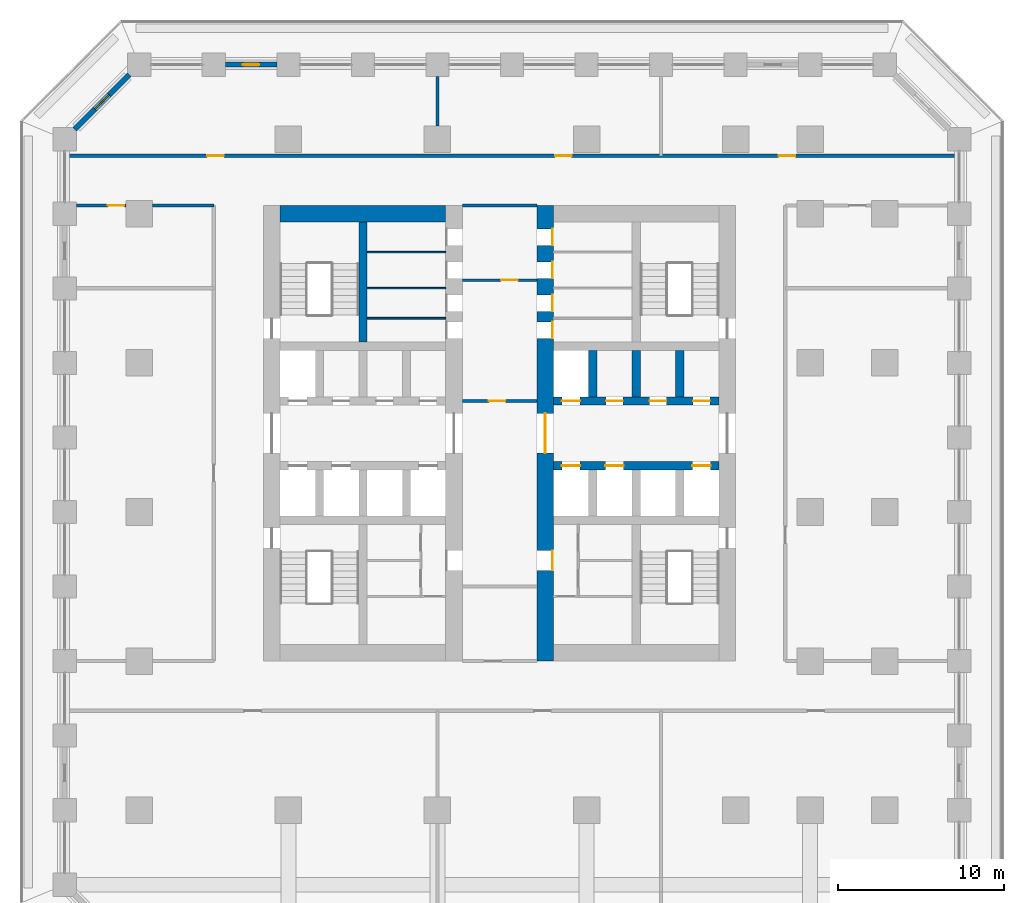
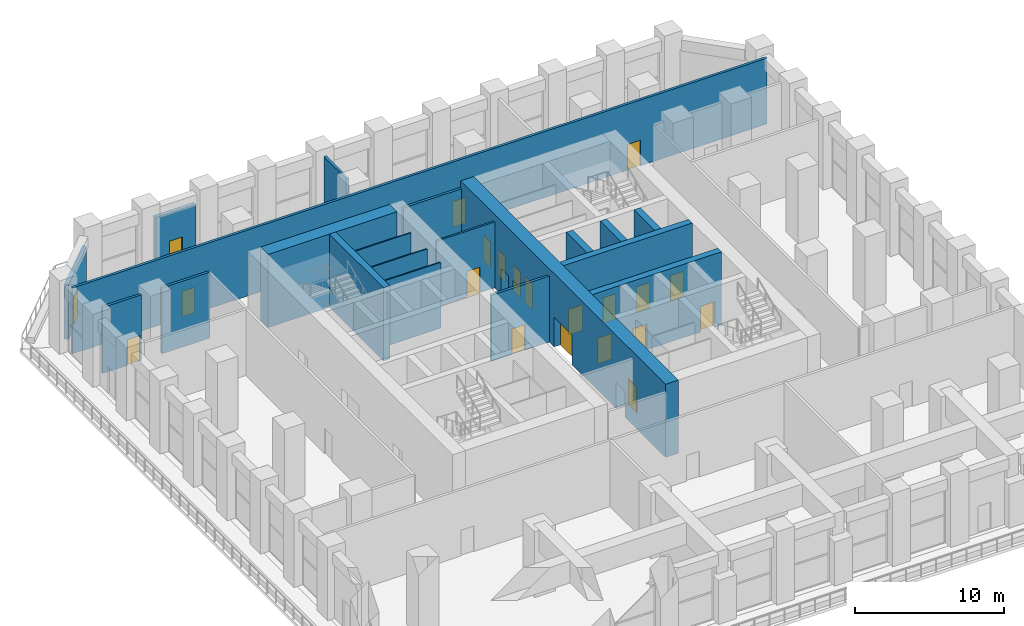
# One storey, part 13 of 19: 21 doors, 20 walls, 21 openings.
"""IFC4 building model written with IfcOpenShell, lengths in metres."""

from ifc_helpers import new_model, si_unit, direction, frame, frame_2d, origin, place, context, subcontext, project, spatial, rectangle, extrude, material, layer, layer_set, type_object, element, fill, save


model = new_model("IFC4")

# Units and contexts
model_context = context("Model", 3, precision=1e-05, world=origin(), true_north=direction((0.0, 1.0)))
body_context = subcontext(model_context, "Body", "Model", "MODEL_VIEW")
ifc_project = project(units=[si_unit("LENGTHUNIT", "METRE"), si_unit("AREAUNIT", "SQUARE_METRE"), si_unit("VOLUMEUNIT", "CUBIC_METRE"), si_unit("PLANEANGLEUNIT", "RADIAN"), si_unit("MASSUNIT", "GRAM", prefix="KILO")], contexts=[model_context])

# Site, building, storey
site_placement = place(None, origin())
site = spatial("IfcSite", under=ifc_project, at=site_placement, CompositionType="ELEMENT")
building_placement = place(site_placement, origin())
building = spatial("IfcBuilding", under=site, at=building_placement, Name="Corbel Stack Research Tower", CompositionType="ELEMENT")
storey_placement = place(building_placement, frame((0.0, 0.0, 70.60009765625)))
storey = spatial("IfcBuildingStorey", under=building, at=storey_placement, Name="L16", CompositionType="ELEMENT", Elevation=70.60009765625)

# Wall
ifc_material_1 = material(Name="Concrete C70/85", Category="concrete")
ifc_layer_1 = layer(ifc_material_1, 1.0)
ifc_layer_set_1 = layer_set([ifc_layer_1], Name="Concrete C70/85")
wall_type_1 = type_object("IfcWallType", Name="CW-1000-70", PredefinedType="SHEAR", material=ifc_layer_set_1)
wall_1_placement = place(storey_placement, frame((-9.5, 18.0, 0.0), z_axis=(0.0, 0.0, 1.0), x_axis=(1.0, 0.0, 0.0)))
element("IfcWall", 1, at=wall_1_placement, inside=storey, type_object=wall_type_1, Name="West core wall, north end L16", PredefinedType="SHEAR", context=body_context, shape_type="SweptSolid", body=[
    extrude(rectangle(XDim=10.0, YDim=1.0, at=frame_2d((5.0, 0.0))), origin(), (0.0, 0.0, 1.0), 6.0),
])

# Wall, openings, doors
wall_2_placement = place(storey_placement, frame((6.5, -9.0, 0.0), z_axis=(0.0, 0.0, 1.0), x_axis=(0.0, 1.0, 0.0)))
wall_2 = element("IfcWall", 2, at=wall_2_placement, inside=storey, type_object=wall_type_1, Name="East core wall, west face L16", PredefinedType="SHEAR", context=body_context, shape_type="SweptSolid", body=[
    extrude(rectangle(XDim=27.5, YDim=1.0, at=frame_2d((13.75, 0.0))), origin(), (0.0, 0.0, 1.0), 6.0),
])
opening_1_placement = place(wall_2_placement, frame((12.550048828125, 0.0, 0.0)))
opening_1 = element("IfcOpeningElement", 3, at=opening_1_placement, cuts=wall_2, Name="Opening CD-E-W", PredefinedType="OPENING", context=body_context, shape_type="SweptSolid", body=[
    extrude(rectangle(XDim=2.39990234375, YDim=2.39990234375, at=frame_2d((1.199951171875, 1.199951171875))), frame((0.0, 0.510009765625, 0.0), z_axis=(0.0, -1.0, 0.0), x_axis=(1.0, 0.0, 0.0)), (0.0, 0.0, 1.0), 1.02001953125),
])
opening_2_placement = place(wall_2_placement, frame((5.47509765625, 0.0, 0.0)))
opening_2 = element("IfcOpeningElement", 4, at=opening_2_placement, cuts=wall_2, Name="Opening CR-E66-W1-1200", PredefinedType="OPENING", context=body_context, shape_type="SweptSolid", body=[
    extrude(rectangle(XDim=1.199951171875, YDim=2.10009765625, at=frame_2d((0.60009765625, 1.050048828125))), frame((0.0, 0.510009765625, 0.0), z_axis=(0.0, -1.0, 0.0), x_axis=(1.0, 0.0, 0.0)), (0.0, 0.0, 1.0), 1.02001953125),
])
opening_3_placement = place(wall_2_placement, frame((19.47509765625, 0.0, 0.0)))
opening_3 = element("IfcOpeningElement", 5, at=opening_3_placement, cuts=wall_2, Name="Opening CR-E66-R1-1000", PredefinedType="OPENING", context=body_context, shape_type="SweptSolid", body=[
    extrude(rectangle(XDim=1.0, YDim=2.10009765625, at=frame_2d((0.5, 1.050048828125))), frame((0.0, 0.510009765625, 0.0), z_axis=(0.0, -1.0, 0.0), x_axis=(1.0, 0.0, 0.0)), (0.0, 0.0, 1.0), 1.02001953125),
])
opening_4_placement = place(wall_2_placement, frame((21.106201171875, 0.0, 0.0)))
opening_4 = element("IfcOpeningElement", 6, at=opening_4_placement, cuts=wall_2, Name="Opening CR-E66-R2-1000", PredefinedType="OPENING", context=body_context, shape_type="SweptSolid", body=[
    extrude(rectangle(XDim=1.0, YDim=2.10009765625, at=frame_2d((0.5, 1.050048828125))), frame((0.0, 0.510009765625, 0.0), z_axis=(0.0, -1.0, 0.0), x_axis=(1.0, 0.0, 0.0)), (0.0, 0.0, 1.0), 1.02001953125),
])
opening_5_placement = place(wall_2_placement, frame((23.10009765625, 0.0, 0.0)))
opening_5 = element("IfcOpeningElement", 7, at=opening_5_placement, cuts=wall_2, Name="Opening CR-E66-R3-1000", PredefinedType="OPENING", context=body_context, shape_type="SweptSolid", body=[
    extrude(rectangle(XDim=1.0, YDim=2.10009765625, at=frame_2d((0.5, 1.050048828125))), frame((0.0, 0.510009765625, 0.0), z_axis=(0.0, -1.0, 0.0), x_axis=(1.0, 0.0, 0.0)), (0.0, 0.0, 1.0), 1.02001953125),
])
opening_6_placement = place(wall_2_placement, frame((25.09375, 0.0, 0.0)))
opening_6 = element("IfcOpeningElement", 8, at=opening_6_placement, cuts=wall_2, Name="Opening CR-E66-R4-1000", PredefinedType="OPENING", context=body_context, shape_type="SweptSolid", body=[
    extrude(rectangle(XDim=1.0, YDim=2.10009765625, at=frame_2d((0.5, 1.050048828125))), frame((0.0, 0.510009765625, 0.0), z_axis=(0.0, -1.0, 0.0), x_axis=(1.0, 0.0, 0.0)), (0.0, 0.0, 1.0), 1.02001953125),
])
ifc_material_2 = material(Name="Painted steel fire door", Category="steel")
door_type_1 = type_object("IfcDoorType", Name="Lobby door pair 2400 x 2400 FD30S", OperationType="DOUBLE_DOOR_DOUBLE_SWING", PredefinedType="DOOR", material=ifc_material_2)
door_1_placement = place(opening_1_placement, origin())
door_1 = element("IfcDoor", 9, at=door_1_placement, inside=storey, type_object=door_type_1, Name="Lift lobby door E core W", OperationType="DOUBLE_DOOR_DOUBLE_SWING", OverallHeight=2.39990234375, OverallWidth=2.39990234375, PredefinedType="DOOR", context=body_context, shape_type="SweptSolid", body=[
    extrude(rectangle(XDim=2.39990234375, YDim=2.39990234375, at=frame_2d((1.199951171875, 1.199951171875))), frame((0.0, 0.02490234375, 0.0), z_axis=(0.0, -1.0, 0.0), x_axis=(1.0, 0.0, 0.0)), (0.0, 0.0, 1.0), 0.050048828125),
])
fill(opening_1, door_1)
ifc_material_3 = material(Name="Painted steel door", Category="steel")
door_type_2 = type_object("IfcDoorType", Name="Riser door 1000 x 2100 FD60 left hand", OperationType="SINGLE_SWING_LEFT", PredefinedType="DOOR", material=ifc_material_3)
door_2_placement = place(opening_4_placement, origin())
door_2 = element("IfcDoor", 10, at=door_2_placement, inside=storey, type_object=door_type_2, Name="Telecom room door E core", OperationType="SINGLE_SWING_LEFT", OverallHeight=2.10009765625, OverallWidth=1.0, PredefinedType="DOOR", context=body_context, shape_type="SweptSolid", body=[
    extrude(rectangle(XDim=1.0, YDim=2.10009765625, at=frame_2d((0.5, 1.050048828125))), frame((0.0, -0.4248046875, 0.0), z_axis=(0.0, -1.0, 0.0), x_axis=(1.0, 0.0, 0.0)), (0.0, 0.0, 1.0), 0.050048828125),
])
fill(opening_4, door_2)
ifc_material_4 = material(Name="Painted steel door", Category="steel")
door_type_3 = type_object("IfcDoorType", Name="Riser door 1000 x 2100 FD60 right hand", OperationType="SINGLE_SWING_RIGHT", PredefinedType="DOOR", material=ifc_material_4)
door_3_placement = place(opening_3_placement, origin())
door_3 = element("IfcDoor", 11, at=door_3_placement, inside=storey, type_object=door_type_3, Name="Electrical riser door E core", OperationType="SINGLE_SWING_RIGHT", OverallHeight=2.10009765625, OverallWidth=1.0, PredefinedType="DOOR", context=body_context, shape_type="SweptSolid", body=[
    extrude(rectangle(XDim=1.0, YDim=2.10009765625, at=frame_2d((0.5, 1.050048828125))), frame((0.0, -0.4248046875, 0.0), z_axis=(0.0, -1.0, 0.0), x_axis=(1.0, 0.0, 0.0)), (0.0, 0.0, 1.0), 0.050048828125),
])
fill(opening_3, door_3)
ifc_material_5 = material(Name="Painted steel door", Category="steel")
door_type_4 = type_object("IfcDoorType", Name="Service door 1000 x 2100 FD30 left hand", OperationType="SINGLE_SWING_LEFT", PredefinedType="DOOR", material=ifc_material_5)
door_4_placement = place(opening_6_placement, origin())
door_4 = element("IfcDoor", 12, at=door_4_placement, inside=storey, type_object=door_type_4, Name="Cleaner's store door E core", OperationType="SINGLE_SWING_LEFT", OverallHeight=2.10009765625, OverallWidth=1.0, PredefinedType="DOOR", context=body_context, shape_type="SweptSolid", body=[
    extrude(rectangle(XDim=1.0, YDim=2.10009765625, at=frame_2d((0.5, 1.050048828125))), frame((0.0, -0.4248046875, 0.0), z_axis=(0.0, -1.0, 0.0), x_axis=(1.0, 0.0, 0.0)), (0.0, 0.0, 1.0), 0.050048828125),
])
fill(opening_6, door_4)
ifc_material_6 = material(Name="Painted steel door", Category="steel")
door_type_5 = type_object("IfcDoorType", Name="Service door 1000 x 2100 FD30 right hand", OperationType="SINGLE_SWING_RIGHT", PredefinedType="DOOR", material=ifc_material_6)
door_5_placement = place(opening_5_placement, origin())
door_5 = element("IfcDoor", 13, at=door_5_placement, inside=storey, type_object=door_type_5, Name="Pantry door E core", OperationType="SINGLE_SWING_RIGHT", OverallHeight=2.10009765625, OverallWidth=1.0, PredefinedType="DOOR", context=body_context, shape_type="SweptSolid", body=[
    extrude(rectangle(XDim=1.0, YDim=2.10009765625, at=frame_2d((0.5, 1.050048828125))), frame((0.0, -0.4248046875, 0.0), z_axis=(0.0, -1.0, 0.0), x_axis=(1.0, 0.0, 0.0)), (0.0, 0.0, 1.0), 0.050048828125),
])
fill(opening_5, door_5)
ifc_material_7 = material(Name="Painted timber door", Category="wood")
door_type_6 = type_object("IfcDoorType", Name="WC door 1200 x 2100 right hand", OperationType="SINGLE_SWING_RIGHT", PredefinedType="DOOR", material=ifc_material_7)
door_6_placement = place(opening_2_placement, origin())
door_6 = element("IfcDoor", 14, at=door_6_placement, inside=storey, type_object=door_type_6, Name="WC lobby door E core", OperationType="SINGLE_SWING_RIGHT", OverallHeight=2.10009765625, OverallWidth=1.199951171875, PredefinedType="DOOR", context=body_context, shape_type="SweptSolid", body=[
    extrude(rectangle(XDim=1.199951171875, YDim=2.10009765625, at=frame_2d((0.60009765625, 1.050048828125))), frame((0.0, -0.4248046875, 0.0), z_axis=(0.0, -1.0, 0.0), x_axis=(1.0, 0.0, 0.0)), (0.0, 0.0, 1.0), 0.050048828125),
])
fill(opening_2, door_6)

# Wall
ifc_material_8 = material(Name="Concrete C70/85", Category="concrete")
ifc_layer_2 = layer(ifc_material_8, 0.5)
ifc_layer_set_2 = layer_set([ifc_layer_2], Name="Concrete C70/85")
wall_type_2 = type_object("IfcWallType", Name="CW-500-70", PredefinedType="SHEAR", material=ifc_layer_set_2)
wall_3_placement = place(storey_placement, frame((-4.5, 10.25, 0.0), z_axis=(0.0, 0.0, 1.0), x_axis=(0.0, 1.0, 0.0)))
element("IfcWall", 15, at=wall_3_placement, inside=storey, type_object=wall_type_2, Name="West core wall, north stair and riser L16", PredefinedType="SHEAR", context=body_context, shape_type="SweptSolid", body=[
    extrude(rectangle(XDim=7.25, YDim=0.5, at=frame_2d((3.625, 0.0))), origin(), (0.0, 0.0, 1.0), 6.0),
])

# Wall, openings, doors
wall_4_placement = place(storey_placement, frame((7.0, 2.800048828125, 0.0), z_axis=(0.0, 0.0, 1.0), x_axis=(1.0, 0.0, 0.0)))
wall_4 = element("IfcWall", 16, at=wall_4_placement, inside=storey, type_object=wall_type_2, Name="East core wall, lobby south L16", PredefinedType="SHEAR", context=body_context, shape_type="SweptSolid", body=[
    extrude(rectangle(XDim=10.0, YDim=0.5, at=frame_2d((5.0, 0.0))), origin(), (0.0, 0.0, 1.0), 6.0),
])
opening_7_placement = place(wall_4_placement, frame((0.512451171875, 0.0, 0.0)))
opening_7 = element("IfcOpeningElement", 17, at=opening_7_placement, cuts=wall_4, Name="Opening LD-FS2", PredefinedType="OPENING", context=body_context, shape_type="SweptSolid", body=[
    extrude(rectangle(XDim=1.10009765625, YDim=2.10009765625, at=frame_2d((0.550048828125, 1.050048828125))), frame((0.0, 0.260009765625, 0.0), z_axis=(0.0, -1.0, 0.0), x_axis=(1.0, 0.0, 0.0)), (0.0, 0.0, 1.0), 0.52001953125),
])
opening_8_placement = place(wall_4_placement, frame((3.137451171875, 0.0, 0.0)))
opening_8 = element("IfcOpeningElement", 18, at=opening_8_placement, cuts=wall_4, Name="Opening LD-GL2", PredefinedType="OPENING", context=body_context, shape_type="SweptSolid", body=[
    extrude(rectangle(XDim=1.10009765625, YDim=2.10009765625, at=frame_2d((0.550048828125, 1.050048828125))), frame((0.0, 0.260009765625, 0.0), z_axis=(0.0, -1.0, 0.0), x_axis=(1.0, 0.0, 0.0)), (0.0, 0.0, 1.0), 0.52001953125),
])
opening_9_placement = place(wall_4_placement, frame((8.387451171875, 0.0, 0.0)))
opening_9 = element("IfcOpeningElement", 19, at=opening_9_placement, cuts=wall_4, Name="Opening LD-LR3", PredefinedType="OPENING", context=body_context, shape_type="SweptSolid", body=[
    extrude(rectangle(XDim=1.10009765625, YDim=2.10009765625, at=frame_2d((0.550048828125, 1.050048828125))), frame((0.0, 0.260009765625, 0.0), z_axis=(0.0, -1.0, 0.0), x_axis=(1.0, 0.0, 0.0)), (0.0, 0.0, 1.0), 0.52001953125),
])
ifc_material_9 = material(Name="Stainless steel landing door", Category="steel")
door_type_7 = type_object("IfcDoorType", Name="Lift landing door 1100 x 2100", OperationType="DOUBLE_DOOR_SLIDING", PredefinedType="DOOR", material=ifc_material_9)
door_7_placement = place(opening_7_placement, origin())
door_7 = element("IfcDoor", 20, at=door_7_placement, inside=storey, type_object=door_type_7, Name="Landing door FS2", OperationType="DOUBLE_DOOR_SLIDING", OverallHeight=2.10009765625, OverallWidth=1.10009765625, PredefinedType="DOOR", context=body_context, shape_type="SweptSolid", body=[
    extrude(rectangle(XDim=1.10009765625, YDim=2.10009765625, at=frame_2d((0.550048828125, 1.050048828125))), frame((0.0, 0.02490234375, 0.0), z_axis=(0.0, -1.0, 0.0), x_axis=(1.0, 0.0, 0.0)), (0.0, 0.0, 1.0), 0.050048828125),
])
fill(opening_7, door_7)
door_8_placement = place(opening_8_placement, origin())
door_8 = element("IfcDoor", 21, at=door_8_placement, inside=storey, type_object=door_type_7, Name="Landing door GL2", OperationType="DOUBLE_DOOR_SLIDING", OverallHeight=2.10009765625, OverallWidth=1.10009765625, PredefinedType="DOOR", context=body_context, shape_type="SweptSolid", body=[
    extrude(rectangle(XDim=1.10009765625, YDim=2.10009765625, at=frame_2d((0.550048828125, 1.050048828125))), frame((0.0, 0.02490234375, 0.0), z_axis=(0.0, -1.0, 0.0), x_axis=(1.0, 0.0, 0.0)), (0.0, 0.0, 1.0), 0.050048828125),
])
fill(opening_8, door_8)
door_9_placement = place(opening_9_placement, origin())
door_9 = element("IfcDoor", 22, at=door_9_placement, inside=storey, type_object=door_type_7, Name="Landing door LR3", OperationType="DOUBLE_DOOR_SLIDING", OverallHeight=2.10009765625, OverallWidth=1.10009765625, PredefinedType="DOOR", context=body_context, shape_type="SweptSolid", body=[
    extrude(rectangle(XDim=1.10009765625, YDim=2.10009765625, at=frame_2d((0.550048828125, 1.050048828125))), frame((0.0, 0.02490234375, 0.0), z_axis=(0.0, -1.0, 0.0), x_axis=(1.0, 0.0, 0.0)), (0.0, 0.0, 1.0), 0.050048828125),
])
fill(opening_9, door_9)

wall_5_placement = place(storey_placement, frame((7.0, 6.699951171875, 0.0), z_axis=(0.0, 0.0, 1.0), x_axis=(1.0, 0.0, 0.0)))
wall_5 = element("IfcWall", 23, at=wall_5_placement, inside=storey, type_object=wall_type_2, Name="East core wall, lobby north L16", PredefinedType="SHEAR", context=body_context, shape_type="SweptSolid", body=[
    extrude(rectangle(XDim=10.0, YDim=0.5, at=frame_2d((5.0, 0.0))), origin(), (0.0, 0.0, 1.0), 6.0),
])
opening_10_placement = place(wall_5_placement, frame((0.512451171875, 0.0, 0.0)))
opening_10 = element("IfcOpeningElement", 24, at=opening_10_placement, cuts=wall_5, Name="Opening LD-LR4", PredefinedType="OPENING", context=body_context, shape_type="SweptSolid", body=[
    extrude(rectangle(XDim=1.10009765625, YDim=2.10009765625, at=frame_2d((0.550048828125, 1.050048828125))), frame((0.0, 0.260009765625, 0.0), z_axis=(0.0, -1.0, 0.0), x_axis=(1.0, 0.0, 0.0)), (0.0, 0.0, 1.0), 0.52001953125),
])
opening_11_placement = place(wall_5_placement, frame((3.1875, 0.0, 0.0)))
opening_11 = element("IfcOpeningElement", 25, at=opening_11_placement, cuts=wall_5, Name="Opening CR-E66-N2", PredefinedType="OPENING", context=body_context, shape_type="SweptSolid", body=[
    extrude(rectangle(XDim=1.0, YDim=2.10009765625, at=frame_2d((0.5, 1.050048828125))), frame((0.0, 0.260009765625, 0.0), z_axis=(0.0, -1.0, 0.0), x_axis=(1.0, 0.0, 0.0)), (0.0, 0.0, 1.0), 0.52001953125),
])
opening_12_placement = place(wall_5_placement, frame((5.8125, 0.0, 0.0)))
opening_12 = element("IfcOpeningElement", 26, at=opening_12_placement, cuts=wall_5, Name="Opening CR-E66-N3", PredefinedType="OPENING", context=body_context, shape_type="SweptSolid", body=[
    extrude(rectangle(XDim=1.0, YDim=2.10009765625, at=frame_2d((0.5, 1.050048828125))), frame((0.0, 0.260009765625, 0.0), z_axis=(0.0, -1.0, 0.0), x_axis=(1.0, 0.0, 0.0)), (0.0, 0.0, 1.0), 0.52001953125),
])
opening_13_placement = place(wall_5_placement, frame((8.4375, 0.0, 0.0)))
opening_13 = element("IfcOpeningElement", 27, at=opening_13_placement, cuts=wall_5, Name="Opening CR-E66-N4", PredefinedType="OPENING", context=body_context, shape_type="SweptSolid", body=[
    extrude(rectangle(XDim=1.0, YDim=2.10009765625, at=frame_2d((0.5, 1.050048828125))), frame((0.0, 0.260009765625, 0.0), z_axis=(0.0, -1.0, 0.0), x_axis=(1.0, 0.0, 0.0)), (0.0, 0.0, 1.0), 0.52001953125),
])
door_10_placement = place(opening_10_placement, origin())
door_10 = element("IfcDoor", 28, at=door_10_placement, inside=storey, type_object=door_type_7, Name="Landing door LR4", OperationType="DOUBLE_DOOR_SLIDING", OverallHeight=2.10009765625, OverallWidth=1.10009765625, PredefinedType="DOOR", context=body_context, shape_type="SweptSolid", body=[
    extrude(rectangle(XDim=1.10009765625, YDim=2.10009765625, at=frame_2d((0.550048828125, 1.050048828125))), frame((0.0, 0.02490234375, 0.0), z_axis=(0.0, -1.0, 0.0), x_axis=(1.0, 0.0, 0.0)), (0.0, 0.0, 1.0), 0.050048828125),
])
fill(opening_10, door_10)
ifc_material_10 = material(Name="Painted steel door", Category="steel")
door_type_8 = type_object("IfcDoorType", Name="Service door 1000 x 2100 FD60 left hand", OperationType="SINGLE_SWING_LEFT", PredefinedType="DOOR", material=ifc_material_10)
door_11_placement = place(opening_12_placement, origin())
door_11 = element("IfcDoor", 29, at=door_11_placement, inside=storey, type_object=door_type_8, Name="Records store door E core", OperationType="SINGLE_SWING_LEFT", OverallHeight=2.10009765625, OverallWidth=1.0, PredefinedType="DOOR", context=body_context, shape_type="SweptSolid", body=[
    extrude(rectangle(XDim=1.0, YDim=2.10009765625, at=frame_2d((0.5, 1.050048828125))), frame((0.0, 0.02490234375, 0.0), z_axis=(0.0, -1.0, 0.0), x_axis=(1.0, 0.0, 0.0)), (0.0, 0.0, 1.0), 0.050048828125),
])
fill(opening_12, door_11)
ifc_material_11 = material(Name="Painted steel door", Category="steel")
door_type_9 = type_object("IfcDoorType", Name="Service door 1000 x 2100 FD60 right hand", OperationType="SINGLE_SWING_RIGHT", PredefinedType="DOOR", material=ifc_material_11)
door_12_placement = place(opening_11_placement, origin())
door_12 = element("IfcDoor", 30, at=door_12_placement, inside=storey, type_object=door_type_9, Name="Copy and supply store door E core", OperationType="SINGLE_SWING_RIGHT", OverallHeight=2.10009765625, OverallWidth=1.0, PredefinedType="DOOR", context=body_context, shape_type="SweptSolid", body=[
    extrude(rectangle(XDim=1.0, YDim=2.10009765625, at=frame_2d((0.5, 1.050048828125))), frame((0.0, 0.02490234375, 0.0), z_axis=(0.0, -1.0, 0.0), x_axis=(1.0, 0.0, 0.0)), (0.0, 0.0, 1.0), 0.050048828125),
])
fill(opening_11, door_12)
door_13_placement = place(opening_13_placement, origin())
door_13 = element("IfcDoor", 31, at=door_13_placement, inside=storey, type_object=door_type_9, Name="Electrical room door E core", OperationType="SINGLE_SWING_RIGHT", OverallHeight=2.10009765625, OverallWidth=1.0, PredefinedType="DOOR", context=body_context, shape_type="SweptSolid", body=[
    extrude(rectangle(XDim=1.0, YDim=2.10009765625, at=frame_2d((0.5, 1.050048828125))), frame((0.0, 0.02490234375, 0.0), z_axis=(0.0, -1.0, 0.0), x_axis=(1.0, 0.0, 0.0)), (0.0, 0.0, 1.0), 0.050048828125),
])
fill(opening_13, door_13)

# Walls
for number, where, z_axis, x_axis, name in (
    (32, (9.375, 6.949951171875, 0.0), (0.0, 0.0, 1.0), (0.0, 1.0, 0.0), "East core wall, north shaft 1 L16"),
    (33, (12.0, 6.949951171875, 0.0), (0.0, 0.0, 1.0), (0.0, 1.0, 0.0), "East core wall, north shaft 2 L16"),
    (34, (14.625, 6.949951171875, 0.0), (0.0, 0.0, 1.0), (0.0, 1.0, 0.0), "East core wall, north shaft 3 L16"),
):
    element("IfcWall", number, at=place(storey_placement, frame(where, z_axis=z_axis, x_axis=x_axis)), inside=storey, type_object=wall_type_2, Name=name, PredefinedType="SHEAR", context=body_context, shape_type="SweptSolid", body=[
        extrude(rectangle(XDim=2.800048828125, YDim=0.5, at=frame_2d((1.39990234375, 0.0))), origin(), (0.0, 0.0, 1.0), 6.0),
    ])
ifc_material_12 = material(Name="Gypsum board")
ifc_layer_3 = layer(ifc_material_12, 0.10009765625)
ifc_layer_set_3 = layer_set([ifc_layer_3], Name="Gypsum board")
wall_type_3 = type_object("IfcWallType", Name="Core partition 100", PredefinedType="PARTITIONING", material=ifc_layer_set_3)
for number, where, z_axis, x_axis, name in (
    (35, (-4.25, 11.699951171875, 0.0), (0.0, 0.0, 1.0), (1.0, 0.0, 0.0), "Core partition W"),
    (36, (-4.25, 13.512451171875, 0.0), (0.0, 0.0, 1.0), (1.0, 0.0, 0.0), "Core partition W"),
    (37, (-4.25, 15.6875, 0.0), (0.0, 0.0, 1.0), (1.0, 0.0, 0.0), "Core partition W"),
):
    element("IfcWall", number, at=place(storey_placement, frame(where, z_axis=z_axis, x_axis=x_axis)), inside=storey, type_object=wall_type_3, Name=name, PredefinedType="PARTITIONING", context=body_context, shape_type="SweptSolid", body=[
        extrude(rectangle(XDim=4.75, YDim=0.10009765625, at=frame_2d((2.375, 0.0))), origin(), (0.0, 0.0, 1.0), 5.39990234375),
    ])
ifc_material_13 = material(Name="Fire-rated gypsum board partition on steel studs", Category="steel")
ifc_layer_4 = layer(ifc_material_13, 0.199951171875)
ifc_layer_set_4 = layer_set([ifc_layer_4], Name="Fire-rated gypsum board partition on steel studs")
wall_type_4 = type_object("IfcWallType", Name="Fire-rated partition 200 EI 60", PredefinedType="PARTITIONING", material=ifc_layer_set_4)
wall_6_placement = place(storey_placement, frame((0.0, 23.300048828125, 0.0), z_axis=(0.0, 0.0, 1.0), x_axis=(0.0, 1.0, 0.0)))
element("IfcWall", 38, at=wall_6_placement, inside=storey, type_object=wall_type_4, Name="Partition L16-004", PredefinedType="PARTITIONING", context=body_context, shape_type="SweptSolid", body=[
    extrude(rectangle(XDim=3.0, YDim=0.199951171875, at=frame_2d((1.5, 0.0))), origin(), (0.0, 0.0, 1.0), 5.39990234375),
])

# Wall, opening, door
wall_7_placement = place(storey_placement, frame((1.5, 6.699951171875, 0.0), z_axis=(0.0, 0.0, 1.0), x_axis=(1.0, 0.0, 0.0)))
wall_7 = element("IfcWall", 39, at=wall_7_placement, inside=storey, type_object=wall_type_4, Name="Partition L16-018", PredefinedType="PARTITIONING", context=body_context, shape_type="SweptSolid", body=[
    extrude(rectangle(XDim=4.5, YDim=0.199951171875, at=frame_2d((2.25, 0.0))), origin(), (0.0, 0.0, 1.0), 5.39990234375),
])
opening_14_placement = place(wall_7_placement, frame((1.60009765625, 0.0, 0.0)))
opening_14 = element("IfcOpeningElement", 40, at=opening_14_placement, cuts=wall_7, Name="Opening B2AM-006", PredefinedType="OPENING", context=body_context, shape_type="SweptSolid", body=[
    extrude(rectangle(XDim=1.0, YDim=2.10009765625, at=frame_2d((0.5, 1.050048828125))), frame((0.0, 0.10986328125, 0.0), z_axis=(0.0, -1.0, 0.0), x_axis=(1.0, 0.0, 0.0)), (0.0, 0.0, 1.0), 0.219970703125),
])
ifc_material_14 = material(Name="Painted steel fire door", Category="steel")
door_type_10 = type_object("IfcDoorType", Name="Fire door FD30S 1000 x 2100", OperationType="NOTDEFINED", PredefinedType="DOOR", material=ifc_material_14)
door_14_placement = place(opening_14_placement, origin())
door_14 = element("IfcDoor", 41, at=door_14_placement, inside=storey, type_object=door_type_10, Name="Door B2AM-006", OperationType="SINGLE_SWING_LEFT", OverallHeight=2.10009765625, OverallWidth=1.0, PredefinedType="DOOR", context=body_context, shape_type="SweptSolid", body=[
    extrude(rectangle(XDim=1.0, YDim=2.10009765625, at=frame_2d((0.5, 1.050048828125))), frame((0.0, 0.02490234375, 0.0), z_axis=(0.0, -1.0, 0.0), x_axis=(1.0, 0.0, 0.0)), (0.0, 0.0, 1.0), 0.050048828125),
])
fill(opening_14, door_14)

wall_8_placement = place(storey_placement, frame((-18.800048828125, 18.5, 0.0), z_axis=(0.0, 0.0, 1.0), x_axis=(-1.0, 0.0, 0.0)))
wall_8 = element("IfcWall", 42, at=wall_8_placement, inside=storey, type_object=wall_type_4, Name="Partition L16-022", PredefinedType="PARTITIONING", context=body_context, shape_type="SweptSolid", body=[
    extrude(rectangle(XDim=3.0, YDim=0.199951171875, at=frame_2d((1.5, 0.0))), origin(), (0.0, 0.0, 1.0), 5.39990234375),
])
opening_15_placement = place(wall_8_placement, frame((0.10009765625, 0.0, 0.0)))
opening_15 = element("IfcOpeningElement", 43, at=opening_15_placement, cuts=wall_8, Name="Opening B2AM-008", PredefinedType="OPENING", context=body_context, shape_type="SweptSolid", body=[
    extrude(rectangle(XDim=1.0, YDim=2.10009765625, at=frame_2d((0.5, 1.050048828125))), frame((0.0, 0.10986328125, 0.0), z_axis=(0.0, -1.0, 0.0), x_axis=(1.0, 0.0, 0.0)), (0.0, 0.0, 1.0), 0.219970703125),
])
door_15_placement = place(opening_15_placement, origin())
door_15 = element("IfcDoor", 44, at=door_15_placement, inside=storey, type_object=door_type_10, Name="Door B2AM-008", OperationType="SINGLE_SWING_LEFT", OverallHeight=2.10009765625, OverallWidth=1.0, PredefinedType="DOOR", context=body_context, shape_type="SweptSolid", body=[
    extrude(rectangle(XDim=1.0, YDim=2.10009765625, at=frame_2d((0.5, 1.050048828125))), frame((0.0, 0.02490234375, 0.0), z_axis=(0.0, -1.0, 0.0), x_axis=(1.0, 0.0, 0.0)), (0.0, 0.0, 1.0), 0.050048828125),
])
fill(opening_15, door_15)

# Walls
wall_9_placement = place(storey_placement, frame((-17.199951171875, 18.5, 0.0), z_axis=(0.0, 0.0, 1.0), x_axis=(1.0, 0.0, 0.0)))
element("IfcWall", 45, at=wall_9_placement, inside=storey, type_object=wall_type_4, Name="Partition L16-023", PredefinedType="PARTITIONING", context=body_context, shape_type="SweptSolid", body=[
    extrude(rectangle(XDim=3.699951171875, YDim=0.199951171875, at=frame_2d((1.85009765625, 0.0))), origin(), (0.0, 0.0, 1.0), 5.39990234375),
])
wall_10_placement = place(storey_placement, frame((1.5, 18.5, 0.0), z_axis=(0.0, 0.0, 1.0), x_axis=(1.0, 0.0, 0.0)))
element("IfcWall", 46, at=wall_10_placement, inside=storey, type_object=wall_type_4, Name="Partition L16-024", PredefinedType="PARTITIONING", context=body_context, shape_type="SweptSolid", body=[
    extrude(rectangle(XDim=4.5, YDim=0.199951171875, at=frame_2d((2.25, 0.0))), origin(), (0.0, 0.0, 1.0), 5.39990234375),
])

# Wall, openings, doors
wall_11_placement = place(storey_placement, frame((-22.419921875, 21.5, 0.0), z_axis=(0.0, 0.0, 1.0), x_axis=(1.0, 0.0, 0.0)))
wall_11 = element("IfcWall", 47, at=wall_11_placement, inside=storey, type_object=wall_type_4, Name="Partition L16-028", PredefinedType="PARTITIONING", context=body_context, shape_type="SweptSolid", body=[
    extrude(rectangle(XDim=53.83984375, YDim=0.199951171875, at=frame_2d((26.919921875, 0.0))), origin(), (0.0, 0.0, 1.0), 5.39990234375),
])
opening_16_placement = place(wall_11_placement, frame((8.52001953125, 0.0, 0.0)))
opening_16 = element("IfcOpeningElement", 48, at=opening_16_placement, cuts=wall_11, Name="Opening B2AM-011", PredefinedType="OPENING", context=body_context, shape_type="SweptSolid", body=[
    extrude(rectangle(XDim=1.0, YDim=2.10009765625, at=frame_2d((0.5, 1.050048828125))), frame((0.0, 0.10986328125, 0.0), z_axis=(0.0, -1.0, 0.0), x_axis=(1.0, 0.0, 0.0)), (0.0, 0.0, 1.0), 0.219970703125),
])
opening_17_placement = place(wall_11_placement, frame((29.52001953125, 0.0, 0.0)))
opening_17 = element("IfcOpeningElement", 49, at=opening_17_placement, cuts=wall_11, Name="Opening B2AM-012", PredefinedType="OPENING", context=body_context, shape_type="SweptSolid", body=[
    extrude(rectangle(XDim=1.0, YDim=2.10009765625, at=frame_2d((0.5, 1.050048828125))), frame((0.0, 0.10986328125, 0.0), z_axis=(0.0, -1.0, 0.0), x_axis=(1.0, 0.0, 0.0)), (0.0, 0.0, 1.0), 0.219970703125),
])
opening_18_placement = place(wall_11_placement, frame((43.02001953125, 0.0, 0.0)))
opening_18 = element("IfcOpeningElement", 50, at=opening_18_placement, cuts=wall_11, Name="Opening B2AM-013", PredefinedType="OPENING", context=body_context, shape_type="SweptSolid", body=[
    extrude(rectangle(XDim=1.0, YDim=2.10009765625, at=frame_2d((0.5, 1.050048828125))), frame((0.0, 0.10986328125, 0.0), z_axis=(0.0, -1.0, 0.0), x_axis=(1.0, 0.0, 0.0)), (0.0, 0.0, 1.0), 0.219970703125),
])
door_16_placement = place(opening_16_placement, origin())
door_16 = element("IfcDoor", 51, at=door_16_placement, inside=storey, type_object=door_type_10, Name="Door B2AM-011", OperationType="SINGLE_SWING_LEFT", OverallHeight=2.10009765625, OverallWidth=1.0, PredefinedType="DOOR", context=body_context, shape_type="SweptSolid", body=[
    extrude(rectangle(XDim=1.0, YDim=2.10009765625, at=frame_2d((0.5, 1.050048828125))), frame((0.0, 0.02490234375, 0.0), z_axis=(0.0, -1.0, 0.0), x_axis=(1.0, 0.0, 0.0)), (0.0, 0.0, 1.0), 0.050048828125),
])
fill(opening_16, door_16)
door_17_placement = place(opening_17_placement, origin())
door_17 = element("IfcDoor", 52, at=door_17_placement, inside=storey, type_object=door_type_10, Name="Door B2AM-012", OperationType="SINGLE_SWING_RIGHT", OverallHeight=2.10009765625, OverallWidth=1.0, PredefinedType="DOOR", context=body_context, shape_type="SweptSolid", body=[
    extrude(rectangle(XDim=1.0, YDim=2.10009765625, at=frame_2d((0.5, 1.050048828125))), frame((0.0, 0.02490234375, 0.0), z_axis=(0.0, -1.0, 0.0), x_axis=(1.0, 0.0, 0.0)), (0.0, 0.0, 1.0), 0.050048828125),
])
fill(opening_17, door_17)
door_18_placement = place(opening_18_placement, origin())
door_18 = element("IfcDoor", 53, at=door_18_placement, inside=storey, type_object=door_type_10, Name="Door B2AM-013", OperationType="SINGLE_SWING_RIGHT", OverallHeight=2.10009765625, OverallWidth=1.0, PredefinedType="DOOR", context=body_context, shape_type="SweptSolid", body=[
    extrude(rectangle(XDim=1.0, YDim=2.10009765625, at=frame_2d((0.5, 1.050048828125))), frame((0.0, 0.02490234375, 0.0), z_axis=(0.0, -1.0, 0.0), x_axis=(1.0, 0.0, 0.0)), (0.0, 0.0, 1.0), 0.050048828125),
])
fill(opening_18, door_18)

# Wall, opening, door
ifc_material_15 = material(Name="Gypsum board partition on steel studs", Category="steel")
ifc_layer_5 = layer(ifc_material_15, 0.14990234375)
ifc_layer_set_5 = layer_set([ifc_layer_5], Name="Gypsum board partition on steel studs")
wall_type_5 = type_object("IfcWallType", Name="Partition 150", PredefinedType="PARTITIONING", material=ifc_layer_set_5)
wall_12_placement = place(storey_placement, frame((1.5, 14.0, 0.0), z_axis=(0.0, 0.0, 1.0), x_axis=(1.0, 0.0, 0.0)))
wall_12 = element("IfcWall", 54, at=wall_12_placement, inside=storey, type_object=wall_type_5, Name="Partition L16-021", PredefinedType="PARTITIONING", context=body_context, shape_type="SweptSolid", body=[
    extrude(rectangle(XDim=4.5, YDim=0.14990234375, at=frame_2d((2.25, 0.0))), origin(), (0.0, 0.0, 1.0), 5.39990234375),
])
opening_19_placement = place(wall_12_placement, frame((2.35009765625, 0.0, 0.0)))
opening_19 = element("IfcOpeningElement", 55, at=opening_19_placement, cuts=wall_12, Name="Opening B2AM-007", PredefinedType="OPENING", context=body_context, shape_type="SweptSolid", body=[
    extrude(rectangle(XDim=1.0, YDim=2.10009765625, at=frame_2d((0.5, 1.050048828125))), frame((0.0, 0.0849609375, 0.0), z_axis=(0.0, -1.0, 0.0), x_axis=(1.0, 0.0, 0.0)), (0.0, 0.0, 1.0), 0.169921875),
])
ifc_material_16 = material(Name="Painted timber door", Category="wood")
door_type_11 = type_object("IfcDoorType", Name="Single door 1000 x 2100", OperationType="NOTDEFINED", PredefinedType="DOOR", material=ifc_material_16)
door_19_placement = place(opening_19_placement, origin())
door_19 = element("IfcDoor", 56, at=door_19_placement, inside=storey, type_object=door_type_11, Name="Door B2AM-007", OperationType="SINGLE_SWING_RIGHT", OverallHeight=2.10009765625, OverallWidth=1.0, PredefinedType="DOOR", context=body_context, shape_type="SweptSolid", body=[
    extrude(rectangle(XDim=1.0, YDim=2.10009765625, at=frame_2d((0.5, 1.050048828125))), frame((0.0, 0.02490234375, 0.0), z_axis=(0.0, -1.0, 0.0), x_axis=(1.0, 0.0, 0.0)), (0.0, 0.0, 1.0), 0.050048828125),
])
fill(opening_19, door_19)

ifc_material_17 = material(Name="Concrete C45/55", Category="concrete")
ifc_layer_6 = layer(ifc_material_17, 0.300048828125)
ifc_layer_set_6 = layer_set([ifc_layer_6], Name="Concrete C45/55")
wall_type_6 = type_object("IfcWallType", Name="Terracotta-faced concrete wall 300", PredefinedType="SOLIDWALL", material=ifc_layer_set_6)
wall_13_placement = place(storey_placement, frame((-12.800048828125, 27.0, 0.0), z_axis=(0.0, 0.0, 1.0), x_axis=(1.0, 0.0, 0.0)))
wall_13 = element("IfcWall", 57, at=wall_13_placement, inside=storey, type_object=wall_type_6, Name="Facade wall L16 N09", PredefinedType="SOLIDWALL", context=body_context, shape_type="SweptSolid", body=[
    extrude(rectangle(XDim=3.10009765625, YDim=0.300048828125, at=frame_2d((1.550048828125, 0.0))), origin(), (0.0, 0.0, 1.0), 4.5),
])
opening_20_placement = place(wall_13_placement, frame((1.050048828125, 0.0, 0.0)))
opening_20 = element("IfcOpeningElement", 58, at=opening_20_placement, cuts=wall_13, Name="Opening L16-B08", PredefinedType="OPENING", context=body_context, shape_type="SweptSolid", body=[
    extrude(rectangle(XDim=1.0, YDim=2.199951171875, at=frame_2d((0.5, 1.10009765625))), frame((0.0, 0.159912109375, 0.0), z_axis=(0.0, -1.0, 0.0), x_axis=(1.0, 0.0, 0.0)), (0.0, 0.0, 1.0), 0.320068359375),
])
ifc_material_18 = material(Name="Aluminium frame, clear double glazing", Category="aluminium")
door_type_12 = type_object("IfcDoorType", Name="Balcony door BD1 1000 x 2200", OperationType="NOTDEFINED", PredefinedType="DOOR", material=ifc_material_18)
door_20_placement = place(opening_20_placement, origin())
door_20 = element("IfcDoor", 59, at=door_20_placement, inside=storey, type_object=door_type_12, Name="Balcony door L16-B08", OperationType="SINGLE_SWING_LEFT", OverallHeight=2.199951171875, OverallWidth=1.0, PredefinedType="DOOR", context=body_context, shape_type="SweptSolid", body=[
    extrude(rectangle(XDim=1.0, YDim=2.199951171875, at=frame_2d((0.5, 1.10009765625))), frame((0.0, 0.02490234375, 0.0), z_axis=(0.0, -1.0, 0.0), x_axis=(1.0, 0.0, 0.0)), (0.0, 0.0, 1.0), 0.050048828125),
])
fill(opening_20, door_20)

wall_14_placement = place(storey_placement, frame((-21.906005859375, 23.093994140625, 0.0), z_axis=(0.0, 0.0, 1.0), x_axis=(0.707106781187, 0.707106781187, 0.0)))
wall_14 = element("IfcWall", 60, at=wall_14_placement, inside=storey, type_object=wall_type_6, Name="Facade wall L16 NW01", PredefinedType="SOLIDWALL", context=body_context, shape_type="SweptSolid", body=[
    extrude(rectangle(XDim=4.683837890625, YDim=0.300048828125, at=frame_2d((2.341796875, 0.0))), origin(), (0.0, 0.0, 1.0), 4.5),
])
opening_21_placement = place(wall_14_placement, frame((1.741943359375, 0.0, 0.0)))
opening_21 = element("IfcOpeningElement", 61, at=opening_21_placement, cuts=wall_14, Name="Opening L16-B09", PredefinedType="OPENING", context=body_context, shape_type="SweptSolid", body=[
    extrude(rectangle(XDim=1.199951171875, YDim=2.199951171875, at=frame_2d((0.60009765625, 1.10009765625))), frame((0.0, 0.159912109375, 0.0), z_axis=(0.0, -1.0, 0.0), x_axis=(1.0, 0.0, 0.0)), (0.0, 0.0, 1.0), 0.320068359375),
])
ifc_material_19 = material(Name="Aluminium frame, clear double glazing", Category="aluminium")
door_type_13 = type_object("IfcDoorType", Name="Balcony door BD2 1200 x 2200", OperationType="NOTDEFINED", PredefinedType="DOOR", material=ifc_material_19)
door_21_placement = place(opening_21_placement, origin())
door_21 = element("IfcDoor", 62, at=door_21_placement, inside=storey, type_object=door_type_13, Name="Balcony door L16-B09", OperationType="SINGLE_SWING_LEFT", OverallHeight=2.199951171875, OverallWidth=1.199951171875, PredefinedType="DOOR", context=body_context, shape_type="SweptSolid", body=[
    extrude(rectangle(XDim=1.199951171875, YDim=2.199951171875, at=frame_2d((0.60009765625, 1.10009765625))), frame((0.0, 0.02490234375, 0.0), z_axis=(0.0, -1.0, 0.0), x_axis=(1.0, 0.0, 0.0)), (0.0, 0.0, 1.0), 0.050048828125),
])
fill(opening_21, door_21)

save(model, "model.ifc")
